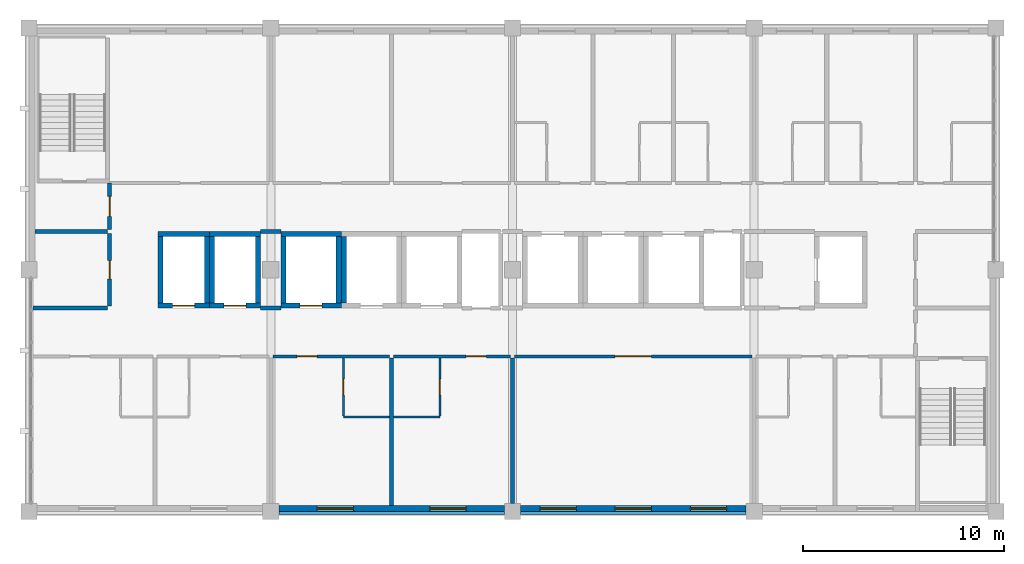
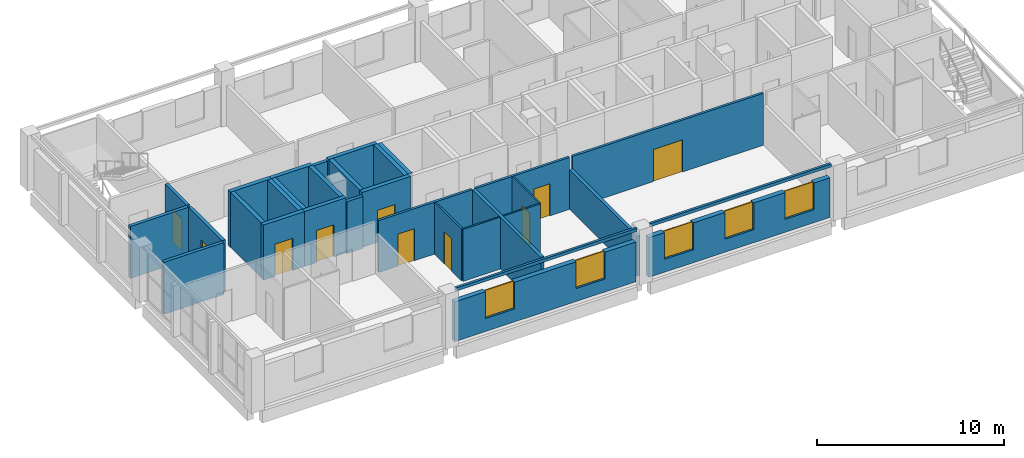
# One storey, part 6 of 11: 32 walls, 10 doors, 5 windows, 15 openings.
"""IFC4 building model written with IfcOpenShell, lengths in metres."""

from ifc_helpers import new_model, si_unit, direction, frame, frame_2d, origin, place, context, subcontext, project, spatial, rectangle, extrude, material, layer, layer_set, type_object, element, fill, save


model = new_model("IFC4")

# Units and contexts
model_context = context("Model", 3, precision=1e-05, world=origin(), true_north=direction((0.0, 1.0)))
body_context = subcontext(model_context, "Body", "Model", "MODEL_VIEW")
ifc_project = project(units=[si_unit("LENGTHUNIT", "METRE"), si_unit("AREAUNIT", "SQUARE_METRE"), si_unit("VOLUMEUNIT", "CUBIC_METRE"), si_unit("PLANEANGLEUNIT", "RADIAN"), si_unit("MASSUNIT", "GRAM", prefix="KILO")], contexts=[model_context])

# Site, building, storey
site_placement = place(None, origin())
site = spatial("IfcSite", under=ifc_project, at=site_placement, CompositionType="ELEMENT")
building_placement = place(site_placement, origin())
building = spatial("IfcBuilding", under=site, at=building_placement, Name="Lilac Gate Convention Centre", CompositionType="ELEMENT")
storey_placement = place(building_placement, frame((0.0, 0.0, 39.0)))
storey = spatial("IfcBuildingStorey", under=building, at=storey_placement, Name="L09", CompositionType="ELEMENT", Elevation=39.0)

# Wall, opening, door
ifc_material_1 = material(Name="Concrete C50", Category="concrete")
ifc_layer_1 = layer(ifc_material_1, 0.25)
ifc_layer_set_1 = layer_set([ifc_layer_1], Name="Concrete C50")
wall_type_1 = type_object("IfcWallType", Name="Core wall 250 C50", PredefinedType="SHEAR", material=ifc_layer_set_1)
wall_1_placement = place(storey_placement, frame((54.5, 232.22509765625, 0.0), z_axis=(0.0, 0.0, 1.0), x_axis=(1.0, 0.0, 0.0)))
wall_1 = element("IfcWall", 1, at=wall_1_placement, inside=storey, type_object=wall_type_1, Name="CRW4 core wall TC L09 1", PredefinedType="SHEAR", context=body_context, shape_type="SweptSolid", body=[
    extrude(rectangle(XDim=3.0, YDim=0.25, at=frame_2d((1.5, 0.0))), origin(), (0.0, 0.0, 1.0), 3.60009765625),
])
opening_1_placement = place(wall_1_placement, frame((0.949951171875, 0.0, 0.0)))
opening_1 = element("IfcOpeningElement", 2, at=opening_1_placement, cuts=wall_1, Name="Opening T07-036", PredefinedType="OPENING", context=body_context, shape_type="SweptSolid", body=[
    extrude(rectangle(XDim=1.10009765625, YDim=2.10009765625, at=frame_2d((0.550048828125, 1.050048828125))), frame((0.0, 0.135009765625, 0.0), z_axis=(0.0, -1.0, 0.0), x_axis=(1.0, 0.0, 0.0)), (0.0, 0.0, 1.0), 0.27001953125),
])
ifc_material_2 = material(Name="Stainless steel 304", Category="steel")
door_type_1 = type_object("IfcDoorType", Name="Lift landing door 1100", OperationType="SLIDING_TO_LEFT", PredefinedType="DOOR", material=ifc_material_2)
door_1_placement = place(opening_1_placement, origin())
door_1 = element("IfcDoor", 3, at=door_1_placement, inside=storey, type_object=door_type_1, Name="Lift landing door TP1 L09", OperationType="SLIDING_TO_LEFT", OverallHeight=2.10009765625, OverallWidth=1.10009765625, PredefinedType="DOOR", context=body_context, shape_type="SweptSolid", body=[
    extrude(rectangle(XDim=1.10009765625, YDim=2.10009765625, at=frame_2d((0.550048828125, 1.050048828125))), frame((0.0, 0.02490234375, 0.0), z_axis=(0.0, -1.0, 0.0), x_axis=(1.0, 0.0, 0.0)), (0.0, 0.0, 1.0), 0.050048828125),
])
fill(opening_1, door_1)

# Walls
wall_2_placement = place(storey_placement, frame((54.5, 235.77490234375, 0.0), z_axis=(0.0, 0.0, 1.0), x_axis=(1.0, 0.0, 0.0)))
element("IfcWall", 4, at=wall_2_placement, inside=storey, type_object=wall_type_1, Name="CRW4 core wall TC L09 2", PredefinedType="SHEAR", context=body_context, shape_type="SweptSolid", body=[
    extrude(rectangle(XDim=3.0, YDim=0.25, at=frame_2d((1.5, 0.0))), origin(), (0.0, 0.0, 1.0), 3.60009765625),
])
for number, where, z_axis, x_axis, name in (
    (5, (54.625, 232.35009765625, 0.0), (0.0, 0.0, 1.0), (0.0, 1.0, 0.0), "CRW4 core wall TC L09 3"),
    (6, (57.375, 232.35009765625, 0.0), (0.0, 0.0, 1.0), (0.0, 1.0, 0.0), "CRW4 core wall TC L09 4"),
    (7, (57.625, 232.35009765625, 0.0), (0.0, 0.0, 1.0), (0.0, 1.0, 0.0), "CRW4 core wall TC L09 7"),
):
    element("IfcWall", number, at=place(storey_placement, frame(where, z_axis=z_axis, x_axis=x_axis)), inside=storey, type_object=wall_type_1, Name=name, PredefinedType="SHEAR", context=body_context, shape_type="SweptSolid", body=[
        extrude(rectangle(XDim=3.2998046875, YDim=0.25, at=frame_2d((1.64990234375, 0.0))), origin(), (0.0, 0.0, 1.0), 3.60009765625),
    ])

# Wall, opening, door
wall_3_placement = place(storey_placement, frame((48.39990234375, 232.22509765625, 0.0), z_axis=(0.0, 0.0, 1.0), x_axis=(1.0, 0.0, 0.0)))
wall_3 = element("IfcWall", 8, at=wall_3_placement, inside=storey, type_object=wall_type_1, Name="CRW4 core wall TC L09 25", PredefinedType="SHEAR", context=body_context, shape_type="SweptSolid", body=[
    extrude(rectangle(XDim=2.550048828125, YDim=0.25, at=frame_2d((1.27490234375, 0.0))), origin(), (0.0, 0.0, 1.0), 3.60009765625),
])
opening_2_placement = place(wall_3_placement, frame((0.72509765625, 0.0, 0.0)))
opening_2 = element("IfcOpeningElement", 9, at=opening_2_placement, cuts=wall_3, Name="Opening T07-042", PredefinedType="OPENING", context=body_context, shape_type="SweptSolid", body=[
    extrude(rectangle(XDim=1.10009765625, YDim=2.10009765625, at=frame_2d((0.550048828125, 1.050048828125))), frame((0.0, 0.135009765625, 0.0), z_axis=(0.0, -1.0, 0.0), x_axis=(1.0, 0.0, 0.0)), (0.0, 0.0, 1.0), 0.27001953125),
])
door_2_placement = place(opening_2_placement, origin())
door_2 = element("IfcDoor", 10, at=door_2_placement, inside=storey, type_object=door_type_1, Name="Lift landing door TS1 L09", OperationType="SLIDING_TO_LEFT", OverallHeight=2.10009765625, OverallWidth=1.10009765625, PredefinedType="DOOR", context=body_context, shape_type="SweptSolid", body=[
    extrude(rectangle(XDim=1.10009765625, YDim=2.10009765625, at=frame_2d((0.550048828125, 1.050048828125))), frame((0.0, 0.02490234375, 0.0), z_axis=(0.0, -1.0, 0.0), x_axis=(1.0, 0.0, 0.0)), (0.0, 0.0, 1.0), 0.050048828125),
])
fill(opening_2, door_2)

# Walls
wall_4_placement = place(storey_placement, frame((48.39990234375, 235.77490234375, 0.0), z_axis=(0.0, 0.0, 1.0), x_axis=(1.0, 0.0, 0.0)))
element("IfcWall", 11, at=wall_4_placement, inside=storey, type_object=wall_type_1, Name="CRW4 core wall TC L09 26", PredefinedType="SHEAR", context=body_context, shape_type="SweptSolid", body=[
    extrude(rectangle(XDim=2.550048828125, YDim=0.25, at=frame_2d((1.27490234375, 0.0))), origin(), (0.0, 0.0, 1.0), 3.60009765625),
])
for number, where, z_axis, x_axis, name in (
    (12, (48.52490234375, 232.35009765625, 0.0), (0.0, 0.0, 1.0), (0.0, 1.0, 0.0), "CRW4 core wall TC L09 27"),
    (13, (50.824951171875, 232.35009765625, 0.0), (0.0, 0.0, 1.0), (0.0, 1.0, 0.0), "CRW4 core wall TC L09 28"),
):
    element("IfcWall", number, at=place(storey_placement, frame(where, z_axis=z_axis, x_axis=x_axis)), inside=storey, type_object=wall_type_1, Name=name, PredefinedType="SHEAR", context=body_context, shape_type="SweptSolid", body=[
        extrude(rectangle(XDim=3.2998046875, YDim=0.25, at=frame_2d((1.64990234375, 0.0))), origin(), (0.0, 0.0, 1.0), 3.60009765625),
    ])

# Wall, opening, door
wall_5_placement = place(storey_placement, frame((50.949951171875, 232.22509765625, 0.0), z_axis=(0.0, 0.0, 1.0), x_axis=(1.0, 0.0, 0.0)))
wall_5 = element("IfcWall", 14, at=wall_5_placement, inside=storey, type_object=wall_type_1, Name="CRW4 core wall TC L09 29", PredefinedType="SHEAR", context=body_context, shape_type="SweptSolid", body=[
    extrude(rectangle(XDim=2.550048828125, YDim=0.25, at=frame_2d((1.27490234375, 0.0))), origin(), (0.0, 0.0, 1.0), 3.60009765625),
])
opening_3_placement = place(wall_5_placement, frame((0.72509765625, 0.0, 0.0)))
opening_3 = element("IfcOpeningElement", 15, at=opening_3_placement, cuts=wall_5, Name="Opening T07-043", PredefinedType="OPENING", context=body_context, shape_type="SweptSolid", body=[
    extrude(rectangle(XDim=1.10009765625, YDim=2.10009765625, at=frame_2d((0.550048828125, 1.050048828125))), frame((0.0, 0.135009765625, 0.0), z_axis=(0.0, -1.0, 0.0), x_axis=(1.0, 0.0, 0.0)), (0.0, 0.0, 1.0), 0.27001953125),
])
door_3_placement = place(opening_3_placement, origin())
door_3 = element("IfcDoor", 16, at=door_3_placement, inside=storey, type_object=door_type_1, Name="Lift landing door TS2 L09", OperationType="SLIDING_TO_LEFT", OverallHeight=2.10009765625, OverallWidth=1.10009765625, PredefinedType="DOOR", context=body_context, shape_type="SweptSolid", body=[
    extrude(rectangle(XDim=1.10009765625, YDim=2.10009765625, at=frame_2d((0.550048828125, 1.050048828125))), frame((0.0, 0.02490234375, 0.0), z_axis=(0.0, -1.0, 0.0), x_axis=(1.0, 0.0, 0.0)), (0.0, 0.0, 1.0), 0.050048828125),
])
fill(opening_3, door_3)

# Walls
wall_6_placement = place(storey_placement, frame((50.949951171875, 235.77490234375, 0.0), z_axis=(0.0, 0.0, 1.0), x_axis=(1.0, 0.0, 0.0)))
element("IfcWall", 17, at=wall_6_placement, inside=storey, type_object=wall_type_1, Name="CRW4 core wall TC L09 30", PredefinedType="SHEAR", context=body_context, shape_type="SweptSolid", body=[
    extrude(rectangle(XDim=2.550048828125, YDim=0.25, at=frame_2d((1.27490234375, 0.0))), origin(), (0.0, 0.0, 1.0), 3.60009765625),
])
for number, where, z_axis, x_axis, name in (
    (18, (51.074951171875, 232.35009765625, 0.0), (0.0, 0.0, 1.0), (0.0, 1.0, 0.0), "CRW4 core wall TC L09 31"),
    (19, (53.375, 232.35009765625, 0.0), (0.0, 0.0, 1.0), (0.0, 1.0, 0.0), "CRW4 core wall TC L09 32"),
):
    element("IfcWall", number, at=place(storey_placement, frame(where, z_axis=z_axis, x_axis=x_axis)), inside=storey, type_object=wall_type_1, Name=name, PredefinedType="SHEAR", context=body_context, shape_type="SweptSolid", body=[
        extrude(rectangle(XDim=3.2998046875, YDim=0.25, at=frame_2d((1.64990234375, 0.0))), origin(), (0.0, 0.0, 1.0), 3.60009765625),
    ])

# Wall, opening, door
ifc_material_3 = material(Name="Gypsum board on steel stud", Category="steel")
ifc_layer_2 = layer(ifc_material_3, 0.14990234375)
ifc_layer_set_2 = layer_set([ifc_layer_2], Name="Gypsum board on steel stud")
wall_type_2 = type_object("IfcWallType", Name="Corridor wall 150", PredefinedType="PARTITIONING", material=ifc_layer_set_2)
wall_7_placement = place(storey_placement, frame((59.89990234375, 229.699951171875, 0.0), z_axis=(0.0, 0.0, 1.0), x_axis=(-1.0, 0.0, 0.0)))
wall_7 = element("IfcWall", 20, at=wall_7_placement, inside=storey, type_object=wall_type_2, Name="Corridor wall 150 front 0903", PredefinedType="PARTITIONING", context=body_context, shape_type="SweptSolid", body=[
    extrude(rectangle(XDim=5.7998046875, YDim=0.14990234375, at=frame_2d((2.89990234375, 0.0))), origin(), (0.0, 0.0, 1.0), 3.39990234375),
])
opening_4_placement = place(wall_7_placement, frame((3.60009765625, 0.0, 0.0)))
opening_4 = element("IfcOpeningElement", 21, at=opening_4_placement, cuts=wall_7, Name="Opening T07-012", PredefinedType="OPENING", context=body_context, shape_type="SweptSolid", body=[
    extrude(rectangle(XDim=1.0, YDim=2.10009765625, at=frame_2d((0.5, 1.050048828125))), frame((0.0, 0.0849609375, 0.0), z_axis=(0.0, -1.0, 0.0), x_axis=(1.0, 0.0, 0.0)), (0.0, 0.0, 1.0), 0.169921875),
])
ifc_material_4 = material(Name="Timber", Category="wood")
door_type_2 = type_object("IfcDoorType", Name="Guest room entrance door 1000", OperationType="SINGLE_SWING_LEFT", PredefinedType="DOOR", material=ifc_material_4)
door_4_placement = place(opening_4_placement, origin())
door_4 = element("IfcDoor", 22, at=door_4_placement, inside=storey, type_object=door_type_2, Name="Guest room door 0903", OperationType="SINGLE_SWING_RIGHT", OverallHeight=2.10009765625, OverallWidth=1.0, PredefinedType="DOOR", context=body_context, shape_type="SweptSolid", body=[
    extrude(rectangle(XDim=1.0, YDim=2.10009765625, at=frame_2d((0.5, 1.050048828125))), frame((0.0, 0.02490234375, 0.0), z_axis=(0.0, -1.0, 0.0), x_axis=(1.0, 0.0, 0.0)), (0.0, 0.0, 1.0), 0.050048828125),
])
fill(opening_4, door_4)

wall_8_placement = place(storey_placement, frame((65.89990234375, 229.699951171875, 0.0), z_axis=(0.0, 0.0, 1.0), x_axis=(-1.0, 0.0, 0.0)))
wall_8 = element("IfcWall", 23, at=wall_8_placement, inside=storey, type_object=wall_type_2, Name="Corridor wall 150 front 0904", PredefinedType="PARTITIONING", context=body_context, shape_type="SweptSolid", body=[
    extrude(rectangle(XDim=5.7998046875, YDim=0.14990234375, at=frame_2d((2.89990234375, 0.0))), origin(), (0.0, 0.0, 1.0), 3.39990234375),
])
opening_5_placement = place(wall_8_placement, frame((1.199951171875, 0.0, 0.0)))
opening_5 = element("IfcOpeningElement", 24, at=opening_5_placement, cuts=wall_8, Name="Opening T07-014", PredefinedType="OPENING", context=body_context, shape_type="SweptSolid", body=[
    extrude(rectangle(XDim=1.0, YDim=2.10009765625, at=frame_2d((0.5, 1.050048828125))), frame((0.0, 0.0849609375, 0.0), z_axis=(0.0, -1.0, 0.0), x_axis=(1.0, 0.0, 0.0)), (0.0, 0.0, 1.0), 0.169921875),
])
door_5_placement = place(opening_5_placement, origin())
door_5 = element("IfcDoor", 25, at=door_5_placement, inside=storey, type_object=door_type_2, Name="Guest room door 0904", OperationType="SINGLE_SWING_LEFT", OverallHeight=2.10009765625, OverallWidth=1.0, PredefinedType="DOOR", context=body_context, shape_type="SweptSolid", body=[
    extrude(rectangle(XDim=1.0, YDim=2.10009765625, at=frame_2d((0.5, 1.050048828125))), frame((0.0, 0.02490234375, 0.0), z_axis=(0.0, -1.0, 0.0), x_axis=(1.0, 0.0, 0.0)), (0.0, 0.0, 1.0), 0.050048828125),
])
fill(opening_5, door_5)

wall_9_placement = place(storey_placement, frame((77.89990234375, 229.699951171875, 0.0), z_axis=(0.0, 0.0, 1.0), x_axis=(-1.0, 0.0, 0.0)))
wall_9 = element("IfcWall", 26, at=wall_9_placement, inside=storey, type_object=wall_type_2, Name="Corridor wall 150 front 0905", PredefinedType="PARTITIONING", context=body_context, shape_type="SweptSolid", body=[
    extrude(rectangle(XDim=11.7998046875, YDim=0.14990234375, at=frame_2d((5.89990234375, 0.0))), origin(), (0.0, 0.0, 1.0), 3.39990234375),
])
opening_6_placement = place(wall_9_placement, frame((5.0, 0.0, 0.0)))
opening_6 = element("IfcOpeningElement", 27, at=opening_6_placement, cuts=wall_9, Name="Opening T07-016", PredefinedType="OPENING", context=body_context, shape_type="SweptSolid", body=[
    extrude(rectangle(XDim=1.800048828125, YDim=2.10009765625, at=frame_2d((0.89990234375, 1.050048828125))), frame((0.0, 0.0849609375, 0.0), z_axis=(0.0, -1.0, 0.0), x_axis=(1.0, 0.0, 0.0)), (0.0, 0.0, 1.0), 0.169921875),
])
door_type_3 = type_object("IfcDoorType", Name="Double room door 1800", OperationType="DOUBLE_DOOR_SINGLE_SWING", PredefinedType="DOOR", material=ifc_material_4)
door_6_placement = place(opening_6_placement, origin())
door_6 = element("IfcDoor", 28, at=door_6_placement, inside=storey, type_object=door_type_3, Name="Club Lounge door", OperationType="DOUBLE_DOOR_SINGLE_SWING", OverallHeight=2.10009765625, OverallWidth=1.800048828125, PredefinedType="DOOR", context=body_context, shape_type="SweptSolid", body=[
    extrude(rectangle(XDim=1.800048828125, YDim=2.10009765625, at=frame_2d((0.89990234375, 1.050048828125))), frame((0.0, 0.02490234375, 0.0), z_axis=(0.0, -1.0, 0.0), x_axis=(1.0, 0.0, 0.0)), (0.0, 0.0, 1.0), 0.050048828125),
])
fill(opening_6, door_6)

# Wall
ifc_layer_3 = layer(ifc_material_3, 0.10009765625)
ifc_layer_set_3 = layer_set([ifc_layer_3], Name="Gypsum board on steel stud")
wall_type_3 = type_object("IfcWallType", Name="En-suite wall 100", PredefinedType="PARTITIONING", material=ifc_layer_set_3)
wall_10_placement = place(storey_placement, frame((57.60009765625, 226.699951171875, 0.0), z_axis=(0.0, 0.0, 1.0), x_axis=(1.0, 0.0, 0.0)))
element("IfcWall", 29, at=wall_10_placement, inside=storey, type_object=wall_type_3, Name="En-suite wall 100 bath 0903", PredefinedType="PARTITIONING", context=body_context, shape_type="SweptSolid", body=[
    extrude(rectangle(XDim=2.2998046875, YDim=0.10009765625, at=frame_2d((1.14990234375, 0.0))), origin(), (0.0, 0.0, 1.0), 3.39990234375),
])

# Wall, opening, door
wall_11_placement = place(storey_placement, frame((57.60009765625, 226.75, 0.0), z_axis=(0.0, 0.0, 1.0), x_axis=(0.0, 1.0, 0.0)))
wall_11 = element("IfcWall", 30, at=wall_11_placement, inside=storey, type_object=wall_type_3, Name="En-suite wall 100 bath side 0903", PredefinedType="PARTITIONING", context=body_context, shape_type="SweptSolid", body=[
    extrude(rectangle(XDim=2.875, YDim=0.10009765625, at=frame_2d((1.4375, 0.0))), origin(), (0.0, 0.0, 1.0), 3.39990234375),
])
opening_7_placement = place(wall_11_placement, frame((1.03759765625, 0.0, 0.0)))
opening_7 = element("IfcOpeningElement", 31, at=opening_7_placement, cuts=wall_11, Name="Opening T07-013", PredefinedType="OPENING", context=body_context, shape_type="SweptSolid", body=[
    extrude(rectangle(XDim=0.800048828125, YDim=2.10009765625, at=frame_2d((0.39990234375, 1.050048828125))), frame((0.0, 0.06005859375, 0.0), z_axis=(0.0, -1.0, 0.0), x_axis=(1.0, 0.0, 0.0)), (0.0, 0.0, 1.0), 0.1201171875),
])
door_type_4 = type_object("IfcDoorType", Name="En-suite door 800", OperationType="SINGLE_SWING_LEFT", PredefinedType="DOOR", material=ifc_material_4)
door_7_placement = place(opening_7_placement, origin())
door_7 = element("IfcDoor", 32, at=door_7_placement, inside=storey, type_object=door_type_4, Name="En-suite door 0903", OperationType="SINGLE_SWING_RIGHT", OverallHeight=2.10009765625, OverallWidth=0.800048828125, PredefinedType="DOOR", context=body_context, shape_type="SweptSolid", body=[
    extrude(rectangle(XDim=0.800048828125, YDim=2.10009765625, at=frame_2d((0.39990234375, 1.050048828125))), frame((0.0, 0.02490234375, 0.0), z_axis=(0.0, -1.0, 0.0), x_axis=(1.0, 0.0, 0.0)), (0.0, 0.0, 1.0), 0.050048828125),
])
fill(opening_7, door_7)

# Wall
wall_12_placement = place(storey_placement, frame((60.10009765625, 226.699951171875, 0.0), z_axis=(0.0, 0.0, 1.0), x_axis=(1.0, 0.0, 0.0)))
element("IfcWall", 33, at=wall_12_placement, inside=storey, type_object=wall_type_3, Name="En-suite wall 100 bath 0904", PredefinedType="PARTITIONING", context=body_context, shape_type="SweptSolid", body=[
    extrude(rectangle(XDim=2.2998046875, YDim=0.10009765625, at=frame_2d((1.14990234375, 0.0))), origin(), (0.0, 0.0, 1.0), 3.39990234375),
])

# Wall, opening, door
wall_13_placement = place(storey_placement, frame((62.39990234375, 229.625, 0.0), z_axis=(0.0, 0.0, 1.0), x_axis=(0.0, -1.0, 0.0)))
wall_13 = element("IfcWall", 34, at=wall_13_placement, inside=storey, type_object=wall_type_3, Name="En-suite wall 100 bath side 0904", PredefinedType="PARTITIONING", context=body_context, shape_type="SweptSolid", body=[
    extrude(rectangle(XDim=2.875, YDim=0.10009765625, at=frame_2d((1.4375, 0.0))), origin(), (0.0, 0.0, 1.0), 3.39990234375),
])
opening_8_placement = place(wall_13_placement, frame((1.03759765625, 0.0, 0.0)))
opening_8 = element("IfcOpeningElement", 35, at=opening_8_placement, cuts=wall_13, Name="Opening T07-015", PredefinedType="OPENING", context=body_context, shape_type="SweptSolid", body=[
    extrude(rectangle(XDim=0.800048828125, YDim=2.10009765625, at=frame_2d((0.39990234375, 1.050048828125))), frame((0.0, 0.06005859375, 0.0), z_axis=(0.0, -1.0, 0.0), x_axis=(1.0, 0.0, 0.0)), (0.0, 0.0, 1.0), 0.1201171875),
])
door_8_placement = place(opening_8_placement, origin())
door_8 = element("IfcDoor", 36, at=door_8_placement, inside=storey, type_object=door_type_4, Name="En-suite door 0904", OperationType="SINGLE_SWING_LEFT", OverallHeight=2.10009765625, OverallWidth=0.800048828125, PredefinedType="DOOR", context=body_context, shape_type="SweptSolid", body=[
    extrude(rectangle(XDim=0.800048828125, YDim=2.10009765625, at=frame_2d((0.39990234375, 1.050048828125))), frame((0.0, 0.02490234375, 0.0), z_axis=(0.0, -1.0, 0.0), x_axis=(1.0, 0.0, 0.0)), (0.0, 0.0, 1.0), 0.050048828125),
])
fill(opening_8, door_8)

# Walls
ifc_layer_4 = layer(ifc_material_3, 0.199951171875)
ifc_layer_set_4 = layer_set([ifc_layer_4], Name="Gypsum board on steel stud")
wall_type_4 = type_object("IfcWallType", Name="Guest room party wall 200", PredefinedType="PARTITIONING", material=ifc_layer_set_4)
wall_14_placement = place(storey_placement, frame((60.0, 222.2998046875, 0.0), z_axis=(0.0, 0.0, 1.0), x_axis=(0.0, 1.0, 0.0)))
element("IfcWall", 37, at=wall_14_placement, inside=storey, type_object=wall_type_4, Name="Guest room party wall 200 party 60.0", PredefinedType="PARTITIONING", context=body_context, shape_type="SweptSolid", body=[
    extrude(rectangle(XDim=7.3251953125, YDim=0.199951171875, at=frame_2d((3.66259765625, 0.0))), origin(), (0.0, 0.0, 1.0), 3.39990234375),
])
wall_15_placement = place(storey_placement, frame((66.0, 222.39990234375, 0.0), z_axis=(0.0, 0.0, 1.0), x_axis=(0.0, 1.0, 0.0)))
element("IfcWall", 38, at=wall_15_placement, inside=storey, type_object=wall_type_4, Name="Guest room party wall 200 party 66.0", PredefinedType="PARTITIONING", context=body_context, shape_type="SweptSolid", body=[
    extrude(rectangle(XDim=7.22509765625, YDim=0.199951171875, at=frame_2d((3.612548828125, 0.0))), origin(), (0.0, 0.0, 1.0), 2.60009765625),
])

# Wall, opening, door
ifc_layer_5 = layer(ifc_material_3, 0.199951171875)
ifc_layer_set_5 = layer_set([ifc_layer_5], Name="Gypsum board on steel stud")
wall_type_5 = type_object("IfcWallType", Name="Lobby wall 200", PredefinedType="PARTITIONING", material=ifc_layer_set_5)
wall_16_placement = place(storey_placement, frame((46.0, 236.0, 0.0), z_axis=(0.0, 0.0, 1.0), x_axis=(0.0, 1.0, 0.0)))
wall_16 = element("IfcWall", 39, at=wall_16_placement, inside=storey, type_object=wall_type_5, Name="Lobby wall 200 STL-NW-E", PredefinedType="PARTITIONING", context=body_context, shape_type="SweptSolid", body=[
    extrude(rectangle(XDim=2.300048828125, YDim=0.199951171875, at=frame_2d((1.14990234375, 0.0))), origin(), (0.0, 0.0, 1.0), 3.39990234375),
])
opening_9_placement = place(wall_16_placement, frame((0.64990234375, 0.0, 0.0)))
opening_9 = element("IfcOpeningElement", 40, at=opening_9_placement, cuts=wall_16, Name="Opening T07-006", PredefinedType="OPENING", context=body_context, shape_type="SweptSolid", body=[
    extrude(rectangle(XDim=1.0, YDim=2.10009765625, at=frame_2d((0.5, 1.050048828125))), frame((0.0, 0.10986328125, 0.0), z_axis=(0.0, -1.0, 0.0), x_axis=(1.0, 0.0, 0.0)), (0.0, 0.0, 1.0), 0.219970703125),
])
ifc_material_5 = material(Name="Steel Q235B", Category="steel")
door_type_5 = type_object("IfcDoorType", Name="Lobby door 1000", OperationType="SINGLE_SWING_LEFT", PredefinedType="DOOR", material=ifc_material_5)
door_9_placement = place(opening_9_placement, origin())
door_9 = element("IfcDoor", 41, at=door_9_placement, inside=storey, type_object=door_type_5, Name="Stair lobby door NW", OperationType="SINGLE_SWING_LEFT", OverallHeight=2.10009765625, OverallWidth=1.0, PredefinedType="DOOR", context=body_context, shape_type="SweptSolid", body=[
    extrude(rectangle(XDim=1.0, YDim=2.10009765625, at=frame_2d((0.5, 1.050048828125))), frame((0.0, 0.02490234375, 0.0), z_axis=(0.0, -1.0, 0.0), x_axis=(1.0, 0.0, 0.0)), (0.0, 0.0, 1.0), 0.050048828125),
])
fill(opening_9, door_9)

# Walls
ifc_material_6 = material(Name="Concrete C40 precast", Category="concrete")
ifc_layer_6 = layer(ifc_material_6, 0.1298828125)
ifc_material_7 = material(Name="Terracotta glazed cladding", Category="masonry")
ifc_layer_7 = layer(ifc_material_7, 0.02001953125)
ifc_layer_set_6 = layer_set([ifc_layer_6, ifc_layer_7], Name="Concrete C40 precast, Terracotta glazed cladding")
wall_type_6 = type_object("IfcWallType", Name="Precast band terracotta 150", PredefinedType="STANDARD", material=ifc_layer_set_6)
for number, where, z_axis, x_axis, name in (
    (42, (54.39990234375, 221.925048828125, 3.39990234375), (0.0, 0.0, 1.0), (1.0, 0.0, 0.0), "Precast band S L09 2"),
    (43, (66.39990234375, 221.925048828125, 3.39990234375), (0.0, 0.0, 1.0), (1.0, 0.0, 0.0), "Precast band S L09 3"),
):
    element("IfcWall", number, at=place(storey_placement, frame(where, z_axis=z_axis, x_axis=x_axis)), inside=storey, type_object=wall_type_6, Name=name, PredefinedType="STANDARD", context=body_context, shape_type="SweptSolid", body=[
        extrude(rectangle(XDim=11.2001953125, YDim=0.14990234375, at=frame_2d((5.60009765625, 0.0))), origin(), (0.0, 0.0, 1.0), 0.2001953125),
    ])

# Wall, openings, windows
ifc_layer_8 = layer(ifc_material_7, 0.02001953125)
ifc_layer_9 = layer(ifc_material_6, 0.06005859375)
ifc_material_8 = material(Name="Ventilated air cavity")
ifc_layer_10 = layer(ifc_material_8, 0.030029296875)
ifc_material_9 = material(Name="Mineral wool insulation")
ifc_layer_11 = layer(ifc_material_9, 0.1201171875)
ifc_material_10 = material(Name="Steel stud Q345 and gypsum lining", Category="steel")
ifc_layer_12 = layer(ifc_material_10, 0.070068359375)
ifc_layer_set_7 = layer_set([ifc_layer_8, ifc_layer_9, ifc_layer_10, ifc_layer_11, ifc_layer_12], Name="Terracotta glazed cladding, Concrete C40 precast, Ventilated air cavity, Mineral wool insulation, Steel stud Q345 and gypsum lining")
wall_type_7 = type_object("IfcWallType", Name="Precast panel wall terracotta 300", PredefinedType="STANDARD", material=ifc_layer_set_7)
wall_17_placement = place(storey_placement, frame((54.39990234375, 222.14990234375, 0.0), z_axis=(0.0, 0.0, 1.0), x_axis=(1.0, 0.0, 0.0)))
wall_17 = element("IfcWall", 44, at=wall_17_placement, inside=storey, type_object=wall_type_7, Name="External wall S L09 2", PredefinedType="STANDARD", context=body_context, shape_type="SweptSolid", body=[
    extrude(rectangle(XDim=11.2001953125, YDim=0.300048828125, at=frame_2d((5.60009765625, 0.0))), origin(), (0.0, 0.0, 1.0), 2.60009765625),
])
opening_10_placement = place(wall_17_placement, frame((1.89990234375, 0.0, 0.85009765625)))
opening_10 = element("IfcOpeningElement", 45, at=opening_10_placement, cuts=wall_17, Name="Opening W1", PredefinedType="OPENING", context=body_context, shape_type="SweptSolid", body=[
    extrude(rectangle(XDim=1.800048828125, YDim=1.75, at=frame_2d((0.89990234375, 0.875))), frame((0.0, 0.159912109375, 0.0), z_axis=(0.0, -1.0, 0.0), x_axis=(1.0, 0.0, 0.0)), (0.0, 0.0, 1.0), 0.320068359375),
])
opening_11_placement = place(wall_17_placement, frame((7.5, 0.0, 0.85009765625)))
opening_11 = element("IfcOpeningElement", 46, at=opening_11_placement, cuts=wall_17, Name="Opening W1", PredefinedType="OPENING", context=body_context, shape_type="SweptSolid", body=[
    extrude(rectangle(XDim=1.800048828125, YDim=1.75, at=frame_2d((0.89990234375, 0.875))), frame((0.0, 0.159912109375, 0.0), z_axis=(0.0, -1.0, 0.0), x_axis=(1.0, 0.0, 0.0)), (0.0, 0.0, 1.0), 0.320068359375),
])
ifc_material_11 = material(Name="Aluminium framed double glazing", Category="aluminium")
window_type = type_object("IfcWindowType", Name="Guest room window 1800 x 1750", PartitioningType="DOUBLE_PANEL_VERTICAL", PredefinedType="WINDOW", material=ifc_material_11)
window_1_placement = place(opening_10_placement, origin())
window_1 = element("IfcWindow", 47, at=window_1_placement, inside=storey, type_object=window_type, Name="Window Guest S L09", OverallHeight=1.75, OverallWidth=1.800048828125, PartitioningType="SINGLE_PANEL", PredefinedType="WINDOW", context=body_context, shape_type="SweptSolid", body=[
    extrude(rectangle(XDim=1.800048828125, YDim=1.75, at=frame_2d((0.89990234375, 0.875))), frame((0.0, 0.030029296875, 0.0), z_axis=(0.0, -1.0, 0.0), x_axis=(1.0, 0.0, 0.0)), (0.0, 0.0, 1.0), 0.06005859375),
])
fill(opening_10, window_1)
window_2_placement = place(opening_11_placement, origin())
window_2 = element("IfcWindow", 48, at=window_2_placement, inside=storey, type_object=window_type, Name="Window Guest S L09", OverallHeight=1.75, OverallWidth=1.800048828125, PartitioningType="SINGLE_PANEL", PredefinedType="WINDOW", context=body_context, shape_type="SweptSolid", body=[
    extrude(rectangle(XDim=1.800048828125, YDim=1.75, at=frame_2d((0.89990234375, 0.875))), frame((0.0, 0.030029296875, 0.0), z_axis=(0.0, -1.0, 0.0), x_axis=(1.0, 0.0, 0.0)), (0.0, 0.0, 1.0), 0.06005859375),
])
fill(opening_11, window_2)

wall_18_placement = place(storey_placement, frame((66.39990234375, 222.14990234375, 0.0), z_axis=(0.0, 0.0, 1.0), x_axis=(1.0, 0.0, 0.0)))
wall_18 = element("IfcWall", 49, at=wall_18_placement, inside=storey, type_object=wall_type_7, Name="External wall S L09 3", PredefinedType="STANDARD", context=body_context, shape_type="SweptSolid", body=[
    extrude(rectangle(XDim=11.2001953125, YDim=0.300048828125, at=frame_2d((5.60009765625, 0.0))), origin(), (0.0, 0.0, 1.0), 2.60009765625),
])
opening_12_placement = place(wall_18_placement, frame((0.966552734375, 0.0, 0.85009765625)))
opening_12 = element("IfcOpeningElement", 50, at=opening_12_placement, cuts=wall_18, Name="Opening W1", PredefinedType="OPENING", context=body_context, shape_type="SweptSolid", body=[
    extrude(rectangle(XDim=1.800048828125, YDim=1.75, at=frame_2d((0.89990234375, 0.875))), frame((0.0, 0.159912109375, 0.0), z_axis=(0.0, -1.0, 0.0), x_axis=(1.0, 0.0, 0.0)), (0.0, 0.0, 1.0), 0.320068359375),
])
opening_13_placement = place(wall_18_placement, frame((4.699951171875, 0.0, 0.85009765625)))
opening_13 = element("IfcOpeningElement", 51, at=opening_13_placement, cuts=wall_18, Name="Opening W1", PredefinedType="OPENING", context=body_context, shape_type="SweptSolid", body=[
    extrude(rectangle(XDim=1.800048828125, YDim=1.75, at=frame_2d((0.89990234375, 0.875))), frame((0.0, 0.159912109375, 0.0), z_axis=(0.0, -1.0, 0.0), x_axis=(1.0, 0.0, 0.0)), (0.0, 0.0, 1.0), 0.320068359375),
])
opening_14_placement = place(wall_18_placement, frame((8.433349609375, 0.0, 0.85009765625)))
opening_14 = element("IfcOpeningElement", 52, at=opening_14_placement, cuts=wall_18, Name="Opening W1", PredefinedType="OPENING", context=body_context, shape_type="SweptSolid", body=[
    extrude(rectangle(XDim=1.800048828125, YDim=1.75, at=frame_2d((0.89990234375, 0.875))), frame((0.0, 0.159912109375, 0.0), z_axis=(0.0, -1.0, 0.0), x_axis=(1.0, 0.0, 0.0)), (0.0, 0.0, 1.0), 0.320068359375),
])
window_3_placement = place(opening_12_placement, origin())
window_3 = element("IfcWindow", 53, at=window_3_placement, inside=storey, type_object=window_type, Name="Window Guest S L09", OverallHeight=1.75, OverallWidth=1.800048828125, PartitioningType="SINGLE_PANEL", PredefinedType="WINDOW", context=body_context, shape_type="SweptSolid", body=[
    extrude(rectangle(XDim=1.800048828125, YDim=1.75, at=frame_2d((0.89990234375, 0.875))), frame((0.0, 0.030029296875, 0.0), z_axis=(0.0, -1.0, 0.0), x_axis=(1.0, 0.0, 0.0)), (0.0, 0.0, 1.0), 0.06005859375),
])
fill(opening_12, window_3)
window_4_placement = place(opening_13_placement, origin())
window_4 = element("IfcWindow", 54, at=window_4_placement, inside=storey, type_object=window_type, Name="Window Guest S L09", OverallHeight=1.75, OverallWidth=1.800048828125, PartitioningType="SINGLE_PANEL", PredefinedType="WINDOW", context=body_context, shape_type="SweptSolid", body=[
    extrude(rectangle(XDim=1.800048828125, YDim=1.75, at=frame_2d((0.89990234375, 0.875))), frame((0.0, 0.030029296875, 0.0), z_axis=(0.0, -1.0, 0.0), x_axis=(1.0, 0.0, 0.0)), (0.0, 0.0, 1.0), 0.06005859375),
])
fill(opening_13, window_4)
window_5_placement = place(opening_14_placement, origin())
window_5 = element("IfcWindow", 55, at=window_5_placement, inside=storey, type_object=window_type, Name="Window Guest S L09", OverallHeight=1.75, OverallWidth=1.800048828125, PartitioningType="SINGLE_PANEL", PredefinedType="WINDOW", context=body_context, shape_type="SweptSolid", body=[
    extrude(rectangle(XDim=1.800048828125, YDim=1.75, at=frame_2d((0.89990234375, 0.875))), frame((0.0, 0.030029296875, 0.0), z_axis=(0.0, -1.0, 0.0), x_axis=(1.0, 0.0, 0.0)), (0.0, 0.0, 1.0), 0.06005859375),
])
fill(opening_14, window_5)

# Walls
ifc_layer_13 = layer(ifc_material_3, 0.199951171875)
ifc_layer_set_8 = layer_set([ifc_layer_13], Name="Gypsum board on steel stud")
wall_type_8 = type_object("IfcWallType", Name="Riser and store wall 200", PredefinedType="PARTITIONING", material=ifc_layer_set_8)
wall_19_placement = place(storey_placement, frame((42.2001953125, 232.10009765625, 0.0), z_axis=(0.0, 0.0, 1.0), x_axis=(1.0, 0.0, 0.0)))
element("IfcWall", 56, at=wall_19_placement, inside=storey, type_object=wall_type_8, Name="Riser and store wall 200 HKW-S", PredefinedType="PARTITIONING", context=body_context, shape_type="SweptSolid", body=[
    extrude(rectangle(XDim=3.69970703125, YDim=0.199951171875, at=frame_2d((1.849853515625, 0.0))), origin(), (0.0, 0.0, 1.0), 3.39990234375),
])
wall_20_placement = place(storey_placement, frame((53.5, 232.10009765625, 0.0), z_axis=(0.0, 0.0, 1.0), x_axis=(1.0, 0.0, 0.0)))
element("IfcWall", 57, at=wall_20_placement, inside=storey, type_object=wall_type_8, Name="Riser and store wall 200 NICHE1-S", PredefinedType="PARTITIONING", context=body_context, shape_type="SweptSolid", body=[
    extrude(rectangle(XDim=1.0, YDim=0.199951171875, at=frame_2d((0.5, 0.0))), origin(), (0.0, 0.0, 1.0), 3.39990234375),
])
wall_21_placement = place(storey_placement, frame((42.2998046875, 235.89990234375, 0.0), z_axis=(0.0, 0.0, 1.0), x_axis=(1.0, 0.0, 0.0)))
element("IfcWall", 58, at=wall_21_placement, inside=storey, type_object=wall_type_8, Name="Riser and store wall 200 HKW-N", PredefinedType="PARTITIONING", context=body_context, shape_type="SweptSolid", body=[
    extrude(rectangle(XDim=3.60009765625, YDim=0.199951171875, at=frame_2d((1.800048828125, 0.0))), origin(), (0.0, 0.0, 1.0), 3.39990234375),
])
wall_22_placement = place(storey_placement, frame((53.5, 235.89990234375, 0.0), z_axis=(0.0, 0.0, 1.0), x_axis=(1.0, 0.0, 0.0)))
element("IfcWall", 59, at=wall_22_placement, inside=storey, type_object=wall_type_8, Name="Riser and store wall 200 NICHE1-N", PredefinedType="PARTITIONING", context=body_context, shape_type="SweptSolid", body=[
    extrude(rectangle(XDim=1.0, YDim=0.199951171875, at=frame_2d((0.5, 0.0))), origin(), (0.0, 0.0, 1.0), 3.39990234375),
])

# Wall, opening, door
wall_23_placement = place(storey_placement, frame((46.0, 232.199951171875, 0.0), z_axis=(0.0, 0.0, 1.0), x_axis=(0.0, 1.0, 0.0)))
wall_23 = element("IfcWall", 60, at=wall_23_placement, inside=storey, type_object=wall_type_8, Name="Riser and store wall 200 HKW-E", PredefinedType="PARTITIONING", context=body_context, shape_type="SweptSolid", body=[
    extrude(rectangle(XDim=3.60009765625, YDim=0.199951171875, at=frame_2d((1.800048828125, 0.0))), origin(), (0.0, 0.0, 1.0), 3.39990234375),
])
opening_15_placement = place(wall_23_placement, frame((1.35009765625, 0.0, 0.0)))
opening_15 = element("IfcOpeningElement", 61, at=opening_15_placement, cuts=wall_23, Name="Opening T07-001", PredefinedType="OPENING", context=body_context, shape_type="SweptSolid", body=[
    extrude(rectangle(XDim=0.89990234375, YDim=2.10009765625, at=frame_2d((0.449951171875, 1.050048828125))), frame((0.0, 0.10986328125, 0.0), z_axis=(0.0, -1.0, 0.0), x_axis=(1.0, 0.0, 0.0)), (0.0, 0.0, 1.0), 0.219970703125),
])
door_type_6 = type_object("IfcDoorType", Name="Riser and store door 900", OperationType="SINGLE_SWING_LEFT", PredefinedType="DOOR", material=ifc_material_5)
door_10_placement = place(opening_15_placement, origin())
door_10 = element("IfcDoor", 62, at=door_10_placement, inside=storey, type_object=door_type_6, Name="Housekeeping door", OperationType="SINGLE_SWING_LEFT", OverallHeight=2.10009765625, OverallWidth=0.89990234375, PredefinedType="DOOR", context=body_context, shape_type="SweptSolid", body=[
    extrude(rectangle(XDim=0.89990234375, YDim=2.10009765625, at=frame_2d((0.449951171875, 1.050048828125))), frame((0.0, 0.02490234375, 0.0), z_axis=(0.0, -1.0, 0.0), x_axis=(1.0, 0.0, 0.0)), (0.0, 0.0, 1.0), 0.050048828125),
])
fill(opening_15, door_10)

save(model, "model.ifc")
